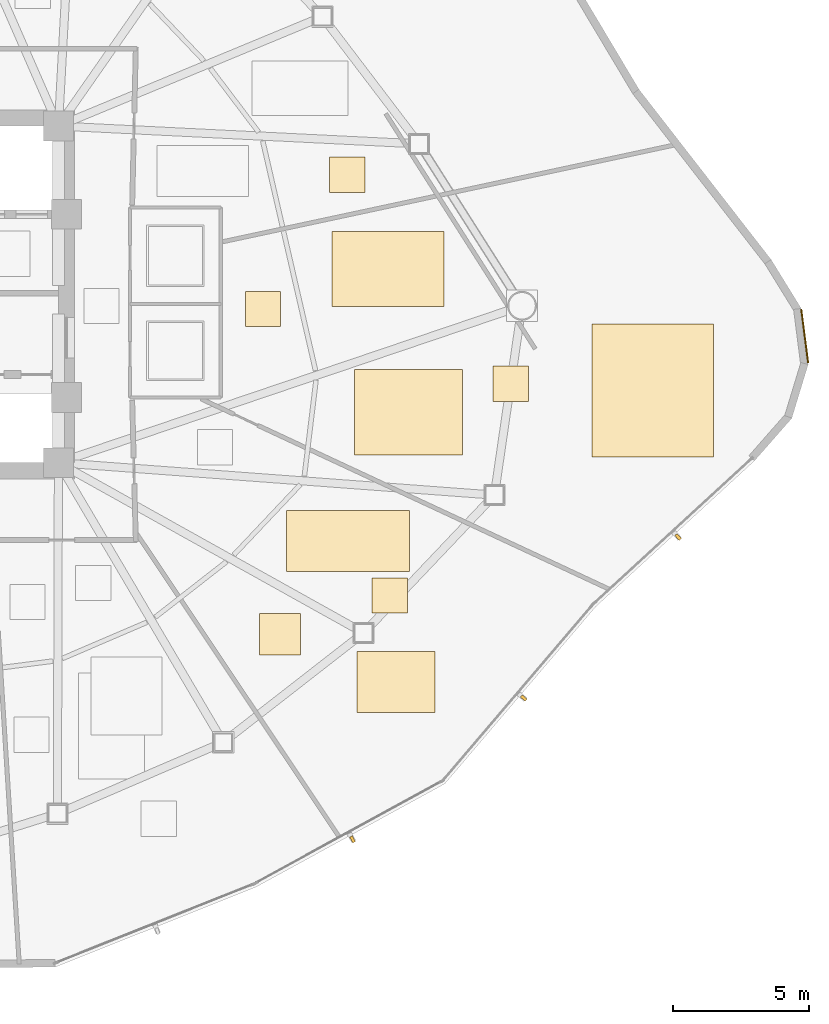
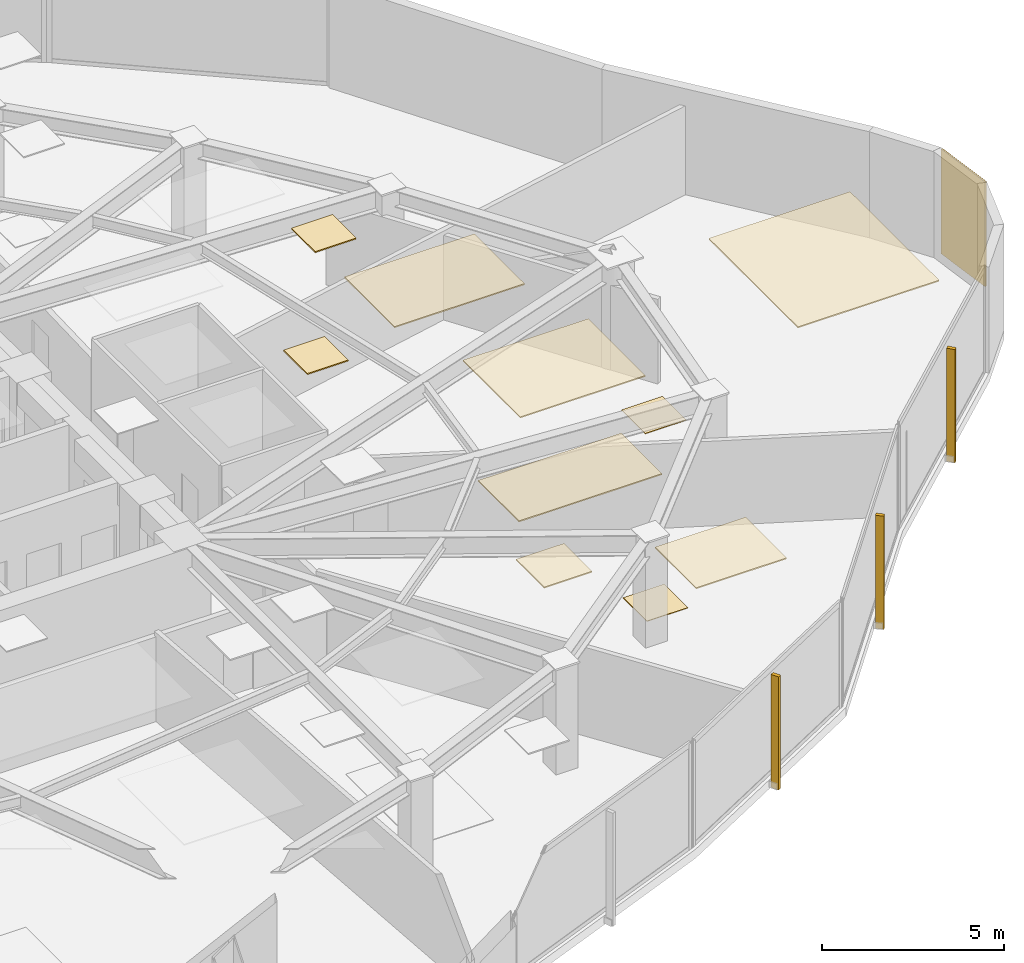
# One storey, part 15 of 16: 11 coverings, 3 shading devices.
"""IFC4 building model written with IfcOpenShell, lengths in metres."""

from ifc_helpers import new_model, si_unit, direction, frame, origin, origin_2d, place, context, subcontext, project, spatial, polyline, rectangle, outline, extrude, source, transform, mapped, material, layer, layer_set, type_object, type_shapes, element, save


model = new_model("IFC4")

# Units and contexts
model_context = context("Model", 3, precision=1e-05, world=origin(), true_north=direction((0.0, 1.0)))
body_context = subcontext(model_context, "Body", "Model", "MODEL_VIEW")
ifc_project = project(units=[si_unit("LENGTHUNIT", "METRE"), si_unit("AREAUNIT", "SQUARE_METRE"), si_unit("VOLUMEUNIT", "CUBIC_METRE"), si_unit("PLANEANGLEUNIT", "RADIAN"), si_unit("MASSUNIT", "GRAM", prefix="KILO")], contexts=[model_context])

# Site, building, storey
site_placement = place(None, origin())
site = spatial("IfcSite", under=ifc_project, at=site_placement, CompositionType="ELEMENT")
building_placement = place(site_placement, origin())
building = spatial("IfcBuilding", under=site, at=building_placement, Name="Tavelor Broadcast Tower", CompositionType="ELEMENT")
storey_placement = place(building_placement, frame((0.0, 0.0, 138.699951171875)))
storey = spatial("IfcBuildingStorey", under=building, at=storey_placement, Name="L32", CompositionType="ELEMENT", Elevation=138.699951171875)

# Coverings
ifc_material_1 = material(Name="Copper-Bronze Anodized Aluminium", Category="aluminium")
ifc_layer_1 = layer(ifc_material_1, 0.050048828125)
ifc_layer_set_1 = layer_set([ifc_layer_1], Name="Copper-Bronze Anodized Aluminium")
covering_type_1 = type_object("IfcCoveringType", Name="Champagne-Bronze Corner Pier Metal Cladding 50 mm", PredefinedType="CLADDING", material=ifc_layer_set_1)
covering_1_placement = place(storey_placement, frame((84.087158203125, 43.462646484375, 0.02001953125), z_axis=(0.0, 0.0, 1.0), x_axis=(-0.127930151302, 0.99178318013, 0.0)))
element("IfcCovering", 1, at=covering_1_placement, inside=storey, type_object=covering_type_1, Name="L32 Champagne-Bronze Corner Cladding 23", PredefinedType="CLADDING", context=body_context, shape_type="SweptSolid", body=[
    extrude(rectangle(XDim=1.985107421875, YDim=0.050048828125, at=origin_2d()), origin(), (0.0, 0.0, 1.0), 3.510009765625),
])
ifc_material_2 = material(Name="Acoustic Nylon Carpet Tile")
ifc_layer_2 = layer(ifc_material_2, 0.02001953125)
ifc_layer_set_2 = layer_set([ifc_layer_2], Name="Acoustic Nylon Carpet Tile")
covering_type_2 = type_object("IfcCoveringType", Name="Heavy-Duty Acoustic Broadcast Carpet Tile 20 mm", PredefinedType="FLOORING", material=ifc_layer_set_2)
covering_2_placement = place(storey_placement, origin())
element("IfcCovering", 2, at=covering_2_placement, inside=storey, type_object=covering_type_2, Name="L32 Broadcast Floor Finish 0453", PredefinedType="FLOORING", context=body_context, shape_type="SweptSolid", body=[
    extrude(outline(polyline([(68.153564453125, 33.25927734375), (69.45361328125, 33.25927734375), (69.45361328125, 34.55908203125), (68.153564453125, 34.55908203125), (68.153564453125, 33.25927734375)])), origin(), (0.0, 0.0, 1.0), 0.02001953125),
])
covering_3_placement = place(storey_placement, origin())
element("IfcCovering", 3, at=covering_3_placement, inside=storey, type_object=covering_type_2, Name="L32 Broadcast Floor Finish 0460", PredefinedType="FLOORING", context=body_context, shape_type="SweptSolid", body=[
    extrude(outline(polyline([(72.60595703125, 41.059814453125), (73.906005859375, 41.059814453125), (73.906005859375, 42.35986328125), (72.60595703125, 42.35986328125), (72.60595703125, 41.059814453125)])), origin(), (0.0, 0.0, 1.0), 0.02001953125),
])
ifc_material_3 = material(Name="Acoustic Mineral Fibre Tile")
ifc_layer_3 = layer(ifc_material_3, 0.0400390625)
ifc_layer_set_3 = layer_set([ifc_layer_3], Name="Acoustic Mineral Fibre Tile")
covering_type_3 = type_object("IfcCoveringType", Name="Suspended Acoustic Mineral-Fibre Office Ceiling 40 mm", PredefinedType="CEILING", material=ifc_layer_set_3)
covering_4_placement = place(storey_placement, frame((0.0, 0.0, 3.510009765625)))
element("IfcCovering", 4, at=covering_4_placement, inside=storey, type_object=covering_type_3, Name="L32 Suspended Acoustic Ceiling 1294", PredefinedType="CEILING", context=body_context, shape_type="SweptSolid", body=[
    extrude(outline(polyline([(64.9931640625, 34.799072265625), (69.522705078125, 34.799072265625), (69.522705078125, 37.038818359375), (64.9931640625, 37.038818359375), (64.9931640625, 34.799072265625)])), origin(), (0.0, 0.0, 1.0), 0.0400390625),
])
covering_5_placement = place(storey_placement, frame((0.0, 0.0, 3.510009765625)))
element("IfcCovering", 5, at=covering_5_placement, inside=storey, type_object=covering_type_3, Name="L32 Suspended Acoustic Ceiling 1295", PredefinedType="CEILING", context=body_context, shape_type="SweptSolid", body=[
    extrude(outline(polyline([(67.602294921875, 29.59912109375), (70.472412109375, 29.59912109375), (70.472412109375, 31.851806640625), (67.602294921875, 31.851806640625), (67.602294921875, 29.59912109375)])), origin(), (0.0, 0.0, 1.0), 0.0400390625),
])
covering_6_placement = place(storey_placement, frame((0.0, 0.0, 3.510009765625)))
element("IfcCovering", 6, at=covering_6_placement, inside=storey, type_object=covering_type_3, Name="L32 Suspended Acoustic Ceiling 1296", PredefinedType="CEILING", context=body_context, shape_type="SweptSolid", body=[
    extrude(outline(polyline([(64.00927734375, 31.712890625), (65.523681640625, 31.712890625), (65.523681640625, 33.254150390625), (64.00927734375, 33.254150390625), (64.00927734375, 31.712890625)])), origin(), (0.0, 0.0, 1.0), 0.0400390625),
])
covering_7_placement = place(storey_placement, frame((0.0, 0.0, 3.510009765625)))
element("IfcCovering", 7, at=covering_7_placement, inside=storey, type_object=covering_type_3, Name="L32 Suspended Acoustic Ceiling 1325", PredefinedType="CEILING", context=body_context, shape_type="SweptSolid", body=[
    extrude(outline(polyline([(66.59033203125, 48.755615234375), (67.890380859375, 48.755615234375), (67.890380859375, 50.0556640625), (66.59033203125, 50.0556640625), (66.59033203125, 48.755615234375)])), origin(), (0.0, 0.0, 1.0), 0.0400390625),
])
covering_8_placement = place(storey_placement, frame((0.0, 0.0, 3.510009765625)))
element("IfcCovering", 8, at=covering_8_placement, inside=storey, type_object=covering_type_3, Name="L32 Suspended Acoustic Ceiling 1329", PredefinedType="CEILING", context=body_context, shape_type="SweptSolid", body=[
    extrude(outline(polyline([(63.486083984375, 43.810791015625), (64.7861328125, 43.810791015625), (64.7861328125, 45.11083984375), (63.486083984375, 45.11083984375), (63.486083984375, 43.810791015625)])), origin(), (0.0, 0.0, 1.0), 0.0400390625),
])
covering_9_placement = place(storey_placement, frame((0.0, 0.0, 3.510009765625)))
element("IfcCovering", 9, at=covering_9_placement, inside=storey, type_object=covering_type_3, Name="L32 Suspended Acoustic Ceiling 1330", PredefinedType="CEILING", context=body_context, shape_type="SweptSolid", body=[
    extrude(outline(polyline([(66.683349609375, 44.5556640625), (70.802978515625, 44.5556640625), (70.802978515625, 47.3095703125), (66.683349609375, 47.3095703125), (66.683349609375, 44.5556640625)])), origin(), (0.0, 0.0, 1.0), 0.0400390625),
])
covering_10_placement = place(storey_placement, frame((0.0, 0.0, 3.510009765625)))
element("IfcCovering", 10, at=covering_10_placement, inside=storey, type_object=covering_type_3, Name="L32 Suspended Acoustic Ceiling 1331", PredefinedType="CEILING", context=body_context, shape_type="SweptSolid", body=[
    extrude(outline(polyline([(67.5087890625, 39.09228515625), (71.475341796875, 39.09228515625), (71.475341796875, 42.231689453125), (67.5087890625, 42.231689453125), (67.5087890625, 39.09228515625)])), origin(), (0.0, 0.0, 1.0), 0.0400390625),
])
covering_11_placement = place(storey_placement, frame((0.0, 0.0, 3.510009765625)))
element("IfcCovering", 11, at=covering_11_placement, inside=storey, type_object=covering_type_3, Name="L32 Suspended Acoustic Ceiling 1332", PredefinedType="CEILING", context=body_context, shape_type="SweptSolid", body=[
    extrude(outline(polyline([(76.2626953125, 39.01171875), (80.73779296875, 39.01171875), (80.73779296875, 43.906005859375), (76.2626953125, 43.906005859375), (76.2626953125, 39.01171875)])), origin(), (0.0, 0.0, 1.0), 0.0400390625),
])

# Shading devices
ifc_material_4 = material(Name="Kiln-Fired Glazed Terracotta", Category="masonry")
shading_device_type = type_object("IfcShadingDeviceType", Name="Extruded Terracotta Baguette Sun-Screen 110x240", PredefinedType="JALOUSIE", material=ifc_material_4)
shared_shape = source(origin(), body_context, "Body", "SweptSolid", [
    extrude(rectangle(XDim=0.110107421875, YDim=0.239990234375, at=origin_2d()), origin(), (0.0, 0.0, 1.0), 3.7900390625),
])
type_shapes(shading_device_type, [shared_shape])
for number, where, z_axis, x_axis, name in (
    (12, (67.432373046875, 24.929931640625, -0.260009765625), (0.0, 0.0, 1.0), (0.877397487892, 0.479764158979, 0.0), "L32 Terracotta Baguette Fin 318"),
    (13, (73.7373046875, 30.132080078125, -0.260009765625), (0.0, 0.0, 1.0), (0.648518552727, 0.761198848376, 0.0), "L32 Terracotta Baguette Fin 319"),
    (14, (79.42431640625, 36.064208984375, -0.260009765625), (0.0, 0.0, 1.0), (0.736333316555, 0.676618982095, 0.0), "L32 Terracotta Baguette Fin 320"),
):
    element("IfcShadingDevice", number, at=place(storey_placement, frame(where, z_axis=z_axis, x_axis=x_axis)), inside=storey, type_object=shading_device_type, Name=name, PredefinedType="JALOUSIE", context=body_context, shape_type="MappedRepresentation", body=[
        mapped(shared_shape, transform((0.0, 0.0, 0.0), scale=1.0)),
    ])

save(model, "model.ifc")
